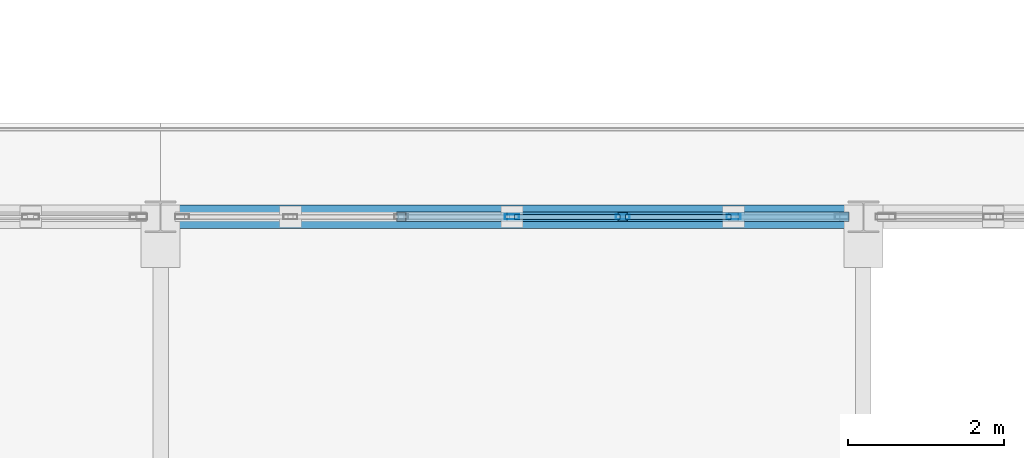
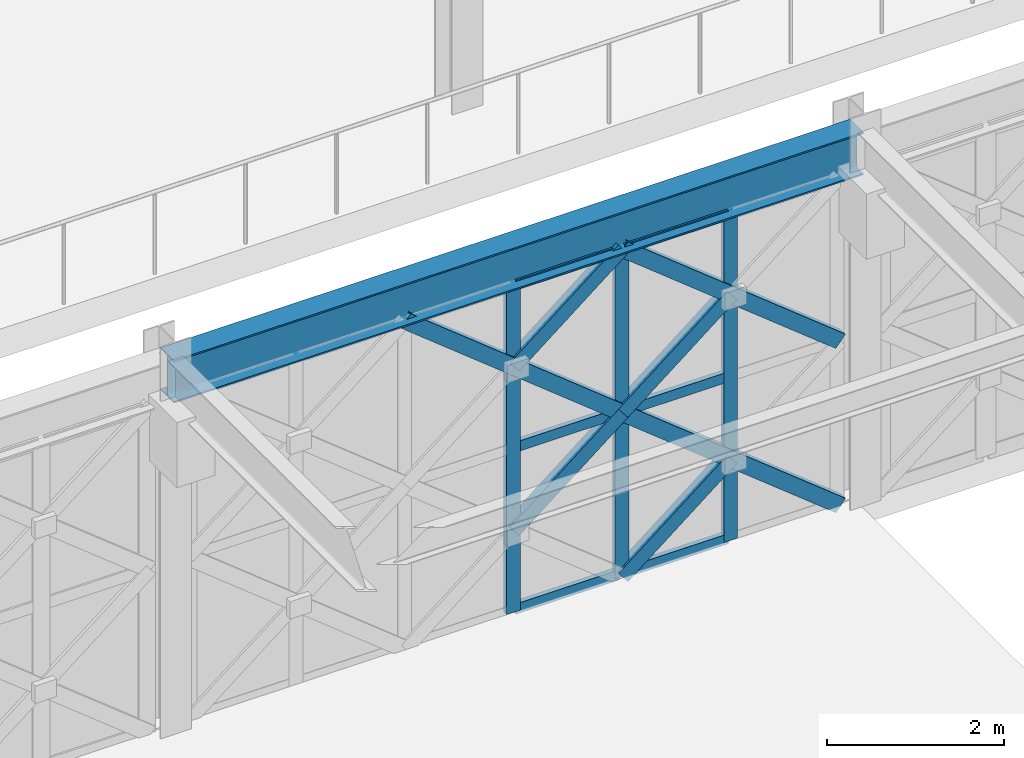
# One storey, part 89 of 140: 16 members, 1 beam, 1 element without a shape of its own.
"""IFC4 building model written with IfcOpenShell, lengths in metres."""

from ifc_helpers import new_model, si_unit, direction, frame, origin, origin_2d, place, context, subcontext, project, spatial, hollow_rectangle, i_section, extrude, material, material_profile, profile_set, type_object, element, aggregate, save


model = new_model("IFC4")

# Units and contexts
model_context = context("Model", 3, precision=1e-05, world=origin(), true_north=direction((0.0, 1.0)))
body_context = subcontext(model_context, "Body", "Model", "MODEL_VIEW")
ifc_project = project(units=[si_unit("LENGTHUNIT", "METRE"), si_unit("AREAUNIT", "SQUARE_METRE"), si_unit("VOLUMEUNIT", "CUBIC_METRE"), si_unit("PLANEANGLEUNIT", "RADIAN"), si_unit("MASSUNIT", "GRAM", prefix="KILO")], contexts=[model_context])

# Site, building, storey
site_placement = place(None, origin())
site = spatial("IfcSite", under=ifc_project, at=site_placement, CompositionType="ELEMENT")
building_placement = place(site_placement, origin())
building = spatial("IfcBuilding", under=site, at=building_placement, Name="Haizhuo Lancet Aquarium", CompositionType="ELEMENT")
storey_placement = place(building_placement, origin())
storey = spatial("IfcBuildingStorey", under=building, at=storey_placement, Name="L00", CompositionType="ELEMENT", Elevation=0.0)

# Beam
ifc_material_1 = material(Name="Steel S355", Category="steel")
ifc_material_profile_1 = material_profile(ifc_material_1, i_section(OverallWidth=0.300048828125, OverallDepth=0.587890625, WebThickness=0.011962890625, FlangeThickness=0.02001953125, FilletRadius=0.02587890625, at=origin_2d()), Name="HM 588x300x12x20")
ifc_profile_set_1 = profile_set([ifc_material_profile_1], Name="Steel S355")
beam_type = type_object("IfcBeamType", Name="BM-ST-HM588", PredefinedType="BEAM", material=ifc_profile_set_1)
beam_placement = place(storey_placement, frame((54.0, 9.0, 4.825927734375), z_axis=(1.0, 0.0, 0.0), x_axis=(0.0, 1.0, 0.0)))
element("IfcBeam", 1, at=beam_placement, inside=storey, type_object=beam_type, Name="L00 V7 primary girder BM-L00-V7-012", PredefinedType="BEAM", context=body_context, shape_type="SweptSolid", body=[
    extrude(i_section(OverallWidth=0.300048828125, OverallDepth=0.587890625, WebThickness=0.011962890625, FlangeThickness=0.02001953125, FilletRadius=0.02587890625, at=origin_2d()), origin(), (0.0, 0.0, 1.0), 9.0),
])

# Curtain wall, members
ifc_material_2 = material(Name="Aluminium 6063-T6", Category="aluminium")
curtain_wall_type = type_object("IfcCurtainWallType", Name="CWO-8510x4530", PredefinedType="NOTDEFINED", material=ifc_material_2)
curtain_wall_placement = place(storey_placement, origin())
curtain_wall = element("IfcCurtainWall", 2, at=curtain_wall_placement, inside=storey, type_object=curtain_wall_type, Name="L00 curtain wall CW-V7-L00-280", PredefinedType="NOTDEFINED")
ifc_material_profile_2 = material_profile(ifc_material_2, hollow_rectangle(XDim=0.06494140625, YDim=0.179931640625, WallThickness=0.00390625, at=origin_2d()), Name="ALU-M 65x180x4")
ifc_profile_set_2 = profile_set([ifc_material_profile_2], Name="Aluminium 6063-T6")
member_type_1 = type_object("IfcMemberType", Name="CW-MUL-1", PredefinedType="MULLION", material=ifc_profile_set_2)
member_1_placement = place(storey_placement, frame((61.3369140625, 9.0, 0.0), z_axis=(0.0, 0.0, 1.0), x_axis=(0.0, -1.0, 0.0)))
member_1 = element("IfcMember", 3, at=member_1_placement, type_object=member_type_1, Name="CWO-85x45 mullion 2", PredefinedType="MULLION", context=body_context, shape_type="SweptSolid", body=[
    extrude(hollow_rectangle(XDim=0.06494140625, YDim=0.179931640625, WallThickness=0.00390625, at=origin_2d()), origin(), (0.0, 0.0, 1.0), 4.531982421875),
])
member_2_placement = place(storey_placement, frame((59.91796875, 9.0, 0.0), z_axis=(0.0, 0.0, 1.0), x_axis=(0.0, -1.0, 0.0)))
member_2 = element("IfcMember", 4, at=member_2_placement, type_object=member_type_1, Name="CWO-85x45 mullion 3", PredefinedType="MULLION", context=body_context, shape_type="SweptSolid", body=[
    extrude(hollow_rectangle(XDim=0.06494140625, YDim=0.179931640625, WallThickness=0.00390625, at=origin_2d()), origin(), (0.0, 0.0, 1.0), 4.531982421875),
])
member_3_placement = place(storey_placement, frame((58.5, 9.0, 0.0), z_axis=(0.0, 0.0, 1.0), x_axis=(0.0, -1.0, 0.0)))
member_3 = element("IfcMember", 5, at=member_3_placement, type_object=member_type_1, Name="CWO-85x45 mullion 4", PredefinedType="MULLION", context=body_context, shape_type="SweptSolid", body=[
    extrude(hollow_rectangle(XDim=0.06494140625, YDim=0.179931640625, WallThickness=0.00390625, at=origin_2d()), origin(), (0.0, 0.0, 1.0), 4.531982421875),
])
ifc_material_profile_3 = material_profile(ifc_material_2, hollow_rectangle(XDim=0.06494140625, YDim=0.139892578125, WallThickness=0.00390625, at=origin_2d()), Name="ALU-T 65x140x4")
ifc_profile_set_3 = profile_set([ifc_material_profile_3], Name="Aluminium 6063-T6")
member_type_2 = type_object("IfcMemberType", Name="CW-TRN-1", PredefinedType="NOTDEFINED", material=ifc_profile_set_3)
member_4_placement = place(storey_placement, frame((61.303955078125, 9.0, 0.032958984375), z_axis=(-1.0, 0.0, 0.0), x_axis=(0.0, -1.0, 0.0)))
member_4 = element("IfcMember", 6, at=member_4_placement, type_object=member_type_2, Name="CWO-85x45 transom 2.1", ObjectType="TRANSOM", PredefinedType="USERDEFINED", context=body_context, shape_type="SweptSolid", body=[
    extrude(hollow_rectangle(XDim=0.06494140625, YDim=0.139892578125, WallThickness=0.00390625, at=origin_2d()), origin(), (0.0, 0.0, 1.0), 1.35302734375),
])
member_5_placement = place(storey_placement, frame((61.303955078125, 9.0, 2.26611328125), z_axis=(-1.0, 0.0, 0.0), x_axis=(0.0, -1.0, 0.0)))
member_5 = element("IfcMember", 7, at=member_5_placement, type_object=member_type_2, Name="CWO-85x45 transom 2.2", ObjectType="TRANSOM", PredefinedType="USERDEFINED", context=body_context, shape_type="SweptSolid", body=[
    extrude(hollow_rectangle(XDim=0.06494140625, YDim=0.139892578125, WallThickness=0.00390625, at=origin_2d()), origin(), (0.0, 0.0, 1.0), 1.35302734375),
])
member_6_placement = place(storey_placement, frame((61.303955078125, 9.0, 4.5), z_axis=(-1.0, 0.0, 0.0), x_axis=(0.0, -1.0, 0.0)))
member_6 = element("IfcMember", 8, at=member_6_placement, type_object=member_type_2, Name="CWO-85x45 transom 2.3", ObjectType="TRANSOM", PredefinedType="USERDEFINED", context=body_context, shape_type="SweptSolid", body=[
    extrude(hollow_rectangle(XDim=0.06494140625, YDim=0.139892578125, WallThickness=0.00390625, at=origin_2d()), origin(), (0.0, 0.0, 1.0), 1.35302734375),
])
member_7_placement = place(storey_placement, frame((59.885986328125, 9.0, 0.032958984375), z_axis=(-1.0, 0.0, 0.0), x_axis=(0.0, -1.0, 0.0)))
member_7 = element("IfcMember", 9, at=member_7_placement, type_object=member_type_2, Name="CWO-85x45 transom 3.1", ObjectType="TRANSOM", PredefinedType="USERDEFINED", context=body_context, shape_type="SweptSolid", body=[
    extrude(hollow_rectangle(XDim=0.06494140625, YDim=0.139892578125, WallThickness=0.00390625, at=origin_2d()), origin(), (0.0, 0.0, 1.0), 1.35400390625),
])
member_8_placement = place(storey_placement, frame((59.885986328125, 9.0, 2.26611328125), z_axis=(-1.0, 0.0, 0.0), x_axis=(0.0, -1.0, 0.0)))
member_8 = element("IfcMember", 10, at=member_8_placement, type_object=member_type_2, Name="CWO-85x45 transom 3.2", ObjectType="TRANSOM", PredefinedType="USERDEFINED", context=body_context, shape_type="SweptSolid", body=[
    extrude(hollow_rectangle(XDim=0.06494140625, YDim=0.139892578125, WallThickness=0.00390625, at=origin_2d()), origin(), (0.0, 0.0, 1.0), 1.35400390625),
])
member_9_placement = place(storey_placement, frame((59.885986328125, 9.0, 4.5), z_axis=(-1.0, 0.0, 0.0), x_axis=(0.0, -1.0, 0.0)))
member_9 = element("IfcMember", 11, at=member_9_placement, type_object=member_type_2, Name="CWO-85x45 transom 3.3", ObjectType="TRANSOM", PredefinedType="USERDEFINED", context=body_context, shape_type="SweptSolid", body=[
    extrude(hollow_rectangle(XDim=0.06494140625, YDim=0.139892578125, WallThickness=0.00390625, at=origin_2d()), origin(), (0.0, 0.0, 1.0), 1.35400390625),
])
aggregate(curtain_wall, [member_1, member_2, member_3, member_4, member_5, member_6, member_7, member_8, member_9])

# Members
ifc_material_profile_4 = material_profile(ifc_material_1, hollow_rectangle(XDim=0.1201171875, YDim=0.199951171875, WallThickness=0.008056640625, at=origin_2d()), Name="RHS 120x200x8")
ifc_profile_set_4 = profile_set([ifc_material_profile_4], Name="Steel S355")
member_type_3 = type_object("IfcMemberType", Name="MEM-LB-RHS120x200", PredefinedType="BRACE", material=ifc_profile_set_4)
member_10_placement = place(storey_placement, frame((62.7548828125, 9.0, 0.0), z_axis=(-0.781327797887, 0.0, 0.624120879517), x_axis=(0.0, -1.0, 0.0)))
element("IfcMember", 12, at=member_10_placement, inside=storey, type_object=member_type_3, Name="Gothic lancet continuous diagonal brace CW-V7-L00-280 1A", PredefinedType="BRACE", context=body_context, shape_type="SweptSolid", body=[
    extrude(hollow_rectangle(XDim=0.1201171875, YDim=0.199951171875, WallThickness=0.008056640625, at=origin_2d()), origin(), (0.0, 0.0, 1.0), 3.630859375),
])
member_11_placement = place(storey_placement, frame((59.91796875, 9.0, 0.0), z_axis=(0.781432531883, 0.0, 0.623989741994), x_axis=(0.0, 1.0, 0.0)))
element("IfcMember", 13, at=member_11_placement, inside=storey, type_object=member_type_3, Name="Gothic lancet split diagonal brace CW-V7-L00-280 1B1", PredefinedType="BRACE", context=body_context, shape_type="SweptSolid", body=[
    extrude(hollow_rectangle(XDim=0.1201171875, YDim=0.199951171875, WallThickness=0.008056640625, at=origin_2d()), origin(), (0.0, 0.0, 1.0), 1.81591796875),
])
member_12_placement = place(storey_placement, frame((62.7548828125, 9.0, 2.26611328125), z_axis=(-0.781360587257, 0.0, 0.624079828772), x_axis=(0.0, -1.0, 0.0)))
element("IfcMember", 14, at=member_12_placement, inside=storey, type_object=member_type_3, Name="Gothic lancet continuous diagonal brace CW-V7-L00-280 2A", PredefinedType="BRACE", context=body_context, shape_type="SweptSolid", body=[
    extrude(hollow_rectangle(XDim=0.1201171875, YDim=0.199951171875, WallThickness=0.008056640625, at=origin_2d()), origin(), (0.0, 0.0, 1.0), 3.630615234375),
])
member_13_placement = place(storey_placement, frame((59.91796875, 9.0, 2.26611328125), z_axis=(0.781498092447, 0.0, 0.623907630584), x_axis=(0.0, 1.0, 0.0)))
element("IfcMember", 15, at=member_13_placement, inside=storey, type_object=member_type_3, Name="Gothic lancet split diagonal brace CW-V7-L00-280 2B1", PredefinedType="BRACE", context=body_context, shape_type="SweptSolid", body=[
    extrude(hollow_rectangle(XDim=0.1201171875, YDim=0.199951171875, WallThickness=0.008056640625, at=origin_2d()), origin(), (0.0, 0.0, 1.0), 1.815673828125),
])
member_14_placement = place(storey_placement, frame((58.5, 9.0, 1.133056640625), z_axis=(0.781222997842, 0.0, 0.624252054577), x_axis=(0.0, 1.0, 0.0)))
element("IfcMember", 16, at=member_14_placement, inside=storey, type_object=member_type_3, Name="Gothic lancet split diagonal brace CW-V7-L00-280 3B2", PredefinedType="BRACE", context=body_context, shape_type="SweptSolid", body=[
    extrude(hollow_rectangle(XDim=0.1201171875, YDim=0.199951171875, WallThickness=0.008056640625, at=origin_2d()), origin(), (0.0, 0.0, 1.0), 1.81494140625),
])
member_15_placement = place(storey_placement, frame((59.91796875, 9.0, 2.26611328125), z_axis=(-0.781255796597, 0.0, 0.624211006217), x_axis=(0.0, -1.0, 0.0)))
element("IfcMember", 17, at=member_15_placement, inside=storey, type_object=member_type_3, Name="Gothic lancet continuous diagonal brace CW-V7-L00-280 4A", PredefinedType="BRACE", context=body_context, shape_type="SweptSolid", body=[
    extrude(hollow_rectangle(XDim=0.1201171875, YDim=0.199951171875, WallThickness=0.008056640625, at=origin_2d()), origin(), (0.0, 0.0, 1.0), 3.6298828125),
])
member_16_placement = place(storey_placement, frame((58.5, 9.0, 3.39892578125), z_axis=(0.781222997842, 0.0, 0.624252054577), x_axis=(0.0, 1.0, 0.0)))
element("IfcMember", 18, at=member_16_placement, inside=storey, type_object=member_type_3, Name="Gothic lancet split diagonal brace CW-V7-L00-280 4B2", PredefinedType="BRACE", context=body_context, shape_type="SweptSolid", body=[
    extrude(hollow_rectangle(XDim=0.1201171875, YDim=0.199951171875, WallThickness=0.008056640625, at=origin_2d()), origin(), (0.0, 0.0, 1.0), 1.81494140625),
])

save(model, "model.ifc")
